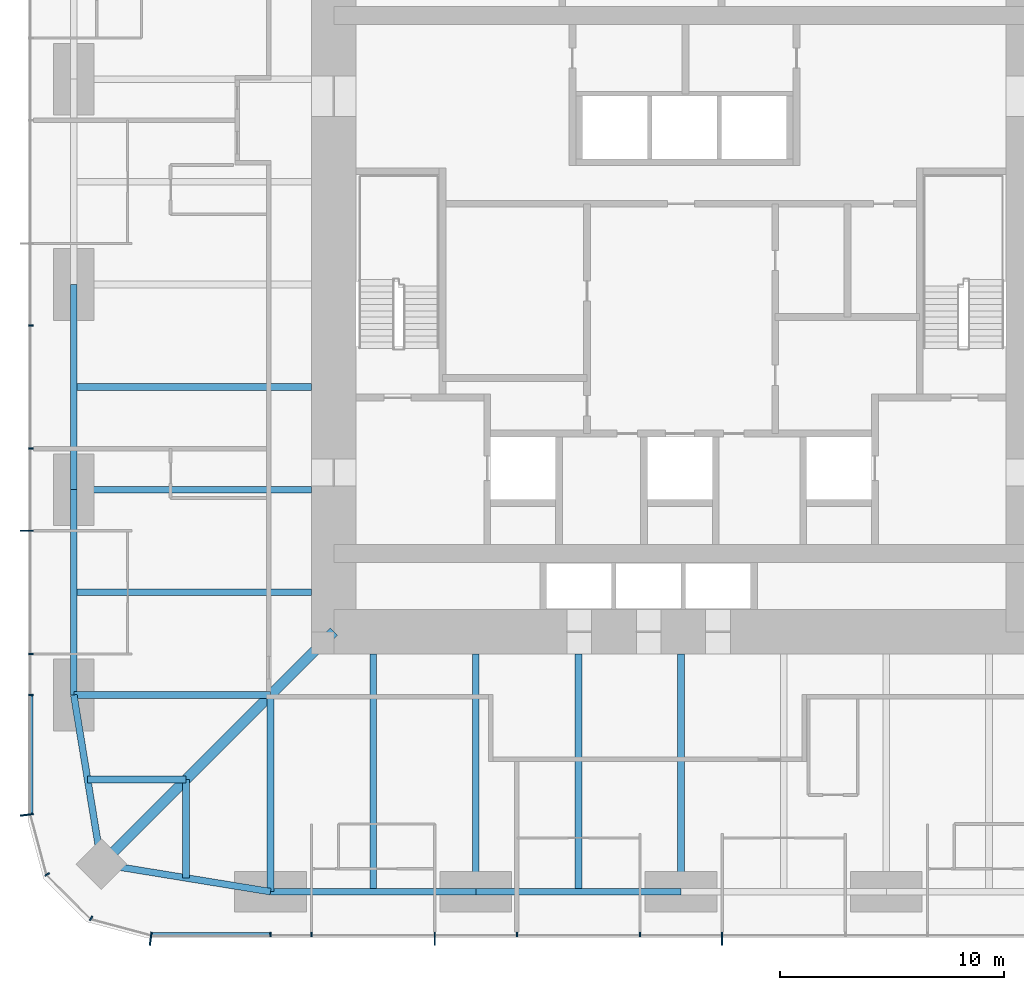
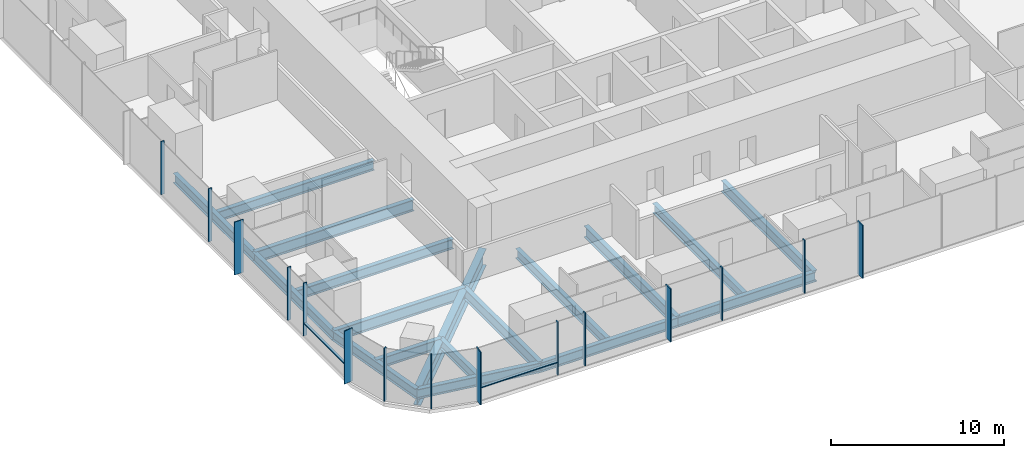
# One storey, part 2 of 13: 18 beams, 17 members, 3 elements without a shape of their own.
"""IFC4 building model written with IfcOpenShell, lengths in metres."""

from ifc_helpers import new_model, si_unit, direction, frame, origin, origin_2d, place, context, subcontext, project, spatial, rectangle, i_section, extrude, material, material_profile, profile_set, type_object, element, aggregate, save


model = new_model("IFC4")

# Units and contexts
model_context = context("Model", 3, precision=1e-05, world=origin(), true_north=direction((0.0, 1.0)))
body_context = subcontext(model_context, "Body", "Model", "MODEL_VIEW")
ifc_project = project(units=[si_unit("LENGTHUNIT", "METRE"), si_unit("AREAUNIT", "SQUARE_METRE"), si_unit("VOLUMEUNIT", "CUBIC_METRE"), si_unit("PLANEANGLEUNIT", "RADIAN"), si_unit("MASSUNIT", "GRAM", prefix="KILO")], contexts=[model_context])

# Site, building, storey
site_placement = place(None, origin())
site = spatial("IfcSite", under=ifc_project, at=site_placement, CompositionType="ELEMENT")
building_placement = place(site_placement, origin())
building = spatial("IfcBuilding", under=site, at=building_placement, Name="Khuree Lantern Residences", CompositionType="ELEMENT")
storey_placement = place(building_placement, frame((0.0, 0.0, 122.25)))
storey = spatial("IfcBuildingStorey", under=building, at=storey_placement, Name="L30", CompositionType="ELEMENT", Elevation=122.25)

# Beams
ifc_material_1 = material(Name="Steel S355", Category="steel")
ifc_material_profile_1 = material_profile(ifc_material_1, i_section(OverallWidth=0.300048828125, OverallDepth=0.68994140625, WebThickness=0.014404296875, FlangeThickness=0.027099609375, FilletRadius=0.027099609375, at=origin_2d()), Name="HE 700 A")
ifc_profile_set_1 = profile_set([ifc_material_profile_1], Name="Steel S355")
beam_type_1 = type_object("IfcBeamType", Name="B-22 SECONDARY BEAM HE 700 A", PredefinedType="BEAM", material=ifc_profile_set_1)
for number, where, z_axis, x_axis, name in (
    (1, (-4.580078125, -27.10009765625, -0.594970703125), (0.0, 1.0, 0.0), (-1.0, 0.0, 0.0), "Secondary beam S4"),
    (2, (-13.739990234375, -27.10009765625, -0.594970703125), (0.0, 1.0, 0.0), (-1.0, 0.0, 0.0), "Secondary beam S5"),
):
    element("IfcBeam", number, at=place(storey_placement, frame(where, z_axis=z_axis, x_axis=x_axis)), inside=storey, type_object=beam_type_1, Name=name, PredefinedType="BEAM", context=body_context, shape_type="SweptSolid", body=[
        extrude(i_section(OverallWidth=0.300048828125, OverallDepth=0.68994140625, WebThickness=0.014404296875, FlangeThickness=0.027099609375, FilletRadius=0.027099609375, at=origin_2d()), origin(), (0.0, 0.0, 1.0), 10.60009765625),
    ])
for number, where, z_axis, x_axis, name in (
    (3, (-22.094970703125, -26.48486328125, -0.594970703125), (0.0, 1.0, 0.0), (-1.0, 0.0, 0.0), "Secondary beam S6"),
    (4, (-26.48486328125, -22.094970703125, -0.594970703125), (1.0, 0.0, 0.0), (0.0, 1.0, 0.0), "Secondary beam W1"),
):
    element("IfcBeam", number, at=place(storey_placement, frame(where, z_axis=z_axis, x_axis=x_axis)), inside=storey, type_object=beam_type_1, Name=name, PredefinedType="BEAM", context=body_context, shape_type="SweptSolid", body=[
        extrude(i_section(OverallWidth=0.300048828125, OverallDepth=0.68994140625, WebThickness=0.014404296875, FlangeThickness=0.027099609375, FilletRadius=0.027099609375, at=origin_2d()), origin(), (0.0, 0.0, 1.0), 4.389892578125),
    ])
for number, where, z_axis, x_axis, name in (
    (5, (-27.10009765625, -13.739990234375, -0.594970703125), (1.0, 0.0, 0.0), (0.0, 1.0, 0.0), "Secondary beam W2"),
    (6, (-27.10009765625, -4.580078125, -0.594970703125), (1.0, 0.0, 0.0), (0.0, 1.0, 0.0), "Secondary beam W3"),
):
    element("IfcBeam", number, at=place(storey_placement, frame(where, z_axis=z_axis, x_axis=x_axis)), inside=storey, type_object=beam_type_1, Name=name, PredefinedType="BEAM", context=body_context, shape_type="SweptSolid", body=[
        extrude(i_section(OverallWidth=0.300048828125, OverallDepth=0.68994140625, WebThickness=0.014404296875, FlangeThickness=0.027099609375, FilletRadius=0.027099609375, at=origin_2d()), origin(), (0.0, 0.0, 1.0), 10.60009765625),
    ])
ifc_material_profile_2 = material_profile(ifc_material_1, i_section(OverallWidth=0.300048828125, OverallDepth=0.68994140625, WebThickness=0.014404296875, FlangeThickness=0.027099609375, FilletRadius=0.027099609375, at=origin_2d()), Name="HE 700 A")
ifc_profile_set_2 = profile_set([ifc_material_profile_2], Name="Steel S355")
beam_type_2 = type_object("IfcBeamType", Name="E-22 SPANDREL BEAM HE 700 A", PredefinedType="SPANDREL", material=ifc_profile_set_2)
beam_1_placement = place(storey_placement, frame((0.0, -27.10009765625, -0.594970703125), z_axis=(-1.0, 0.0, 0.0), x_axis=(0.0, -1.0, 0.0)))
element("IfcBeam", 7, at=beam_1_placement, inside=storey, type_object=beam_type_2, Name="Spandrel beam S4", PredefinedType="SPANDREL", context=body_context, shape_type="SweptSolid", body=[
    extrude(i_section(OverallWidth=0.300048828125, OverallDepth=0.68994140625, WebThickness=0.014404296875, FlangeThickness=0.027099609375, FilletRadius=0.027099609375, at=origin_2d()), origin(), (0.0, 0.0, 1.0), 9.159912109375),
])
beam_2_placement = place(storey_placement, frame((-9.159912109375, -27.10009765625, -0.594970703125), z_axis=(-1.0, 0.0, 0.0), x_axis=(0.0, -1.0, 0.0)))
element("IfcBeam", 8, at=beam_2_placement, inside=storey, type_object=beam_type_2, Name="Spandrel beam S5", PredefinedType="SPANDREL", context=body_context, shape_type="SweptSolid", body=[
    extrude(i_section(OverallWidth=0.300048828125, OverallDepth=0.68994140625, WebThickness=0.014404296875, FlangeThickness=0.027099609375, FilletRadius=0.027099609375, at=origin_2d()), origin(), (0.0, 0.0, 1.0), 9.16015625),
])
for number, where, z_axis, x_axis, name in (
    (9, (-18.320068359375, -27.10009765625, -0.594970703125), (-0.986982656839, 0.160826723833, 0.0), (-0.160826723833, -0.986982656839, 0.0), "Spandrel beam S6"),
    (10, (-25.869873046875, -25.869873046875, -0.594970703125), (-0.160826723833, 0.986982656839, 0.0), (-0.986982656839, -0.160826723833, 0.0), "Spandrel beam W1"),
):
    element("IfcBeam", number, at=place(storey_placement, frame(where, z_axis=z_axis, x_axis=x_axis)), inside=storey, type_object=beam_type_2, Name=name, PredefinedType="SPANDREL", context=body_context, shape_type="SweptSolid", body=[
        extrude(i_section(OverallWidth=0.300048828125, OverallDepth=0.68994140625, WebThickness=0.014404296875, FlangeThickness=0.027099609375, FilletRadius=0.027099609375, at=origin_2d()), origin(), (0.0, 0.0, 1.0), 7.6494140625),
    ])
beam_3_placement = place(storey_placement, frame((-27.10009765625, -18.320068359375, -0.594970703125), z_axis=(0.0, 1.0, 0.0), x_axis=(-1.0, 0.0, 0.0)))
element("IfcBeam", 11, at=beam_3_placement, inside=storey, type_object=beam_type_2, Name="Spandrel beam W2", PredefinedType="SPANDREL", context=body_context, shape_type="SweptSolid", body=[
    extrude(i_section(OverallWidth=0.300048828125, OverallDepth=0.68994140625, WebThickness=0.014404296875, FlangeThickness=0.027099609375, FilletRadius=0.027099609375, at=origin_2d()), origin(), (0.0, 0.0, 1.0), 9.16015625),
])
beam_4_placement = place(storey_placement, frame((-27.10009765625, -9.159912109375, -0.594970703125), z_axis=(0.0, 1.0, 0.0), x_axis=(-1.0, 0.0, 0.0)))
element("IfcBeam", 12, at=beam_4_placement, inside=storey, type_object=beam_type_2, Name="Spandrel beam W3", PredefinedType="SPANDREL", context=body_context, shape_type="SweptSolid", body=[
    extrude(i_section(OverallWidth=0.300048828125, OverallDepth=0.68994140625, WebThickness=0.014404296875, FlangeThickness=0.027099609375, FilletRadius=0.027099609375, at=origin_2d()), origin(), (0.0, 0.0, 1.0), 9.159912109375),
])

# Curtain wall, member
ifc_material_2 = material(Name="Bronze anodised aluminium", Category="aluminium")
curtain_wall_type_1 = type_object("IfcCurtainWallType", Name="CW-T1 TOWER FACE CURTAIN WALL", PredefinedType="USERDEFINED", material=ifc_material_2)
curtain_wall_1_placement = place(storey_placement, origin())
curtain_wall_1 = element("IfcCurtainWall", 13, at=curtain_wall_1_placement, inside=storey, type_object=curtain_wall_type_1, Name="L30 WEST FACE CURTAIN WALL", ObjectType="Stick-built curtain wall", PredefinedType="USERDEFINED")
ifc_material_profile_3 = material_profile(ifc_material_2, rectangle(XDim=0.06494140625, YDim=0.60009765625, at=origin_2d()), Name="F1 65X600")
ifc_profile_set_3 = profile_set([ifc_material_profile_3], Name="Bronze anodised aluminium")
member_type_1 = type_object("IfcMemberType", Name="F1 BRONZE FIN MULLION TOWER 65X600", PredefinedType="MULLION", material=ifc_profile_set_3)
member_1_placement = place(storey_placement, frame((-29.199951171875, -10.991943359375, 0.0), z_axis=(0.0, 0.0, 1.0), x_axis=(0.0, -1.0, 0.0)))
member_1 = element("IfcMember", 14, at=member_1_placement, type_object=member_type_1, Name="L30 WEST FACE FIN MULLION 40", PredefinedType="MULLION", context=body_context, shape_type="SweptSolid", body=[
    extrude(rectangle(XDim=0.06494140625, YDim=0.60009765625, at=origin_2d()), origin(), (0.0, 0.0, 1.0), 3.75),
])

curtain_wall_type_2 = type_object("IfcCurtainWallType", Name="CW-T2 TOWER CORNER CURTAIN WALL", PredefinedType="USERDEFINED", material=ifc_material_2)
curtain_wall_2_placement = place(storey_placement, origin())
curtain_wall_2 = element("IfcCurtainWall", 15, at=curtain_wall_2_placement, inside=storey, type_object=curtain_wall_type_2, Name="L30 SOUTH-WEST CORNER CURTAIN WALL", ObjectType="Faceted corner curtain wall", PredefinedType="USERDEFINED")
member_2_placement = place(storey_placement, frame((-29.2001953125, -23.669677734375, 0.0), z_axis=(0.0, 0.0, 1.0), x_axis=(0.130526223125, -0.991444857305, 0.0)))
member_2 = element("IfcMember", 16, at=member_2_placement, type_object=member_type_1, Name="L30 SOUTH-WEST CORNER FIN MULLION 43", PredefinedType="MULLION", context=body_context, shape_type="SweptSolid", body=[
    extrude(rectangle(XDim=0.06494140625, YDim=0.60009765625, at=origin_2d()), origin(), (0.0, 0.0, 1.0), 3.75),
])

# Curtain wall, members
curtain_wall_3_placement = place(storey_placement, origin())
curtain_wall_3 = element("IfcCurtainWall", 17, at=curtain_wall_3_placement, inside=storey, type_object=curtain_wall_type_1, Name="L30 SOUTH FACE CURTAIN WALL", ObjectType="Stick-built curtain wall", PredefinedType="USERDEFINED")
member_3_placement = place(storey_placement, frame((-23.669677734375, -29.2001953125, 0.0), z_axis=(0.0, 0.0, 1.0), x_axis=(0.991444857305, -0.130526223125, 0.0)))
member_3 = element("IfcMember", 18, at=member_3_placement, type_object=member_type_1, Name="L30 SOUTH FACE FIN MULLION 46", PredefinedType="MULLION", context=body_context, shape_type="SweptSolid", body=[
    extrude(rectangle(XDim=0.06494140625, YDim=0.60009765625, at=origin_2d()), origin(), (0.0, 0.0, 1.0), 3.75),
])
member_4_placement = place(storey_placement, frame((-10.991943359375, -29.199951171875, 0.0), z_axis=(0.0, 0.0, 1.0), x_axis=(1.0, 0.0, 0.0)))
member_4 = element("IfcMember", 19, at=member_4_placement, type_object=member_type_1, Name="L30 SOUTH FACE FIN MULLION 49", PredefinedType="MULLION", context=body_context, shape_type="SweptSolid", body=[
    extrude(rectangle(XDim=0.06494140625, YDim=0.60009765625, at=origin_2d()), origin(), (0.0, 0.0, 1.0), 3.75),
])
member_5_placement = place(storey_placement, frame((1.83203125, -29.199951171875, 0.0), z_axis=(0.0, 0.0, 1.0), x_axis=(1.0, 0.0, 0.0)))
member_5 = element("IfcMember", 20, at=member_5_placement, type_object=member_type_1, Name="L30 SOUTH FACE FIN MULLION 52", PredefinedType="MULLION", context=body_context, shape_type="SweptSolid", body=[
    extrude(rectangle(XDim=0.06494140625, YDim=0.60009765625, at=origin_2d()), origin(), (0.0, 0.0, 1.0), 3.75),
])

# Beams
ifc_material_profile_4 = material_profile(ifc_material_1, i_section(OverallWidth=0.300048828125, OverallDepth=0.800048828125, WebThickness=0.017578125, FlangeThickness=0.032958984375, FilletRadius=0.030029296875, at=origin_2d()), Name="HE 800 B")
ifc_profile_set_4 = profile_set([ifc_material_profile_4], Name="Steel S355")
beam_type_3 = type_object("IfcBeamType", Name="G-22 GIRDER HE 800 B", PredefinedType="BEAM", material=ifc_profile_set_4)
for number, where, z_axis, x_axis, name in (
    (21, (0.0, -27.10009765625, -0.64990234375), (0.0, 1.0, 0.0), (-1.0, 0.0, 0.0), "Girder S3"),
    (22, (-9.159912109375, -27.10009765625, -0.64990234375), (0.0, 1.0, 0.0), (-1.0, 0.0, 0.0), "Girder S4"),
):
    element("IfcBeam", number, at=place(storey_placement, frame(where, z_axis=z_axis, x_axis=x_axis)), inside=storey, type_object=beam_type_3, Name=name, PredefinedType="BEAM", context=body_context, shape_type="SweptSolid", body=[
        extrude(i_section(OverallWidth=0.300048828125, OverallDepth=0.800048828125, WebThickness=0.017578125, FlangeThickness=0.032958984375, FilletRadius=0.030029296875, at=origin_2d()), origin(), (0.0, 0.0, 1.0), 10.60009765625),
    ])
for number, where, z_axis, x_axis, name in (
    (23, (-18.320068359375, -27.10009765625, -0.64990234375), (0.0, 1.0, 0.0), (-1.0, 0.0, 0.0), "Girder S5"),
    (24, (-27.10009765625, -18.320068359375, -0.64990234375), (1.0, 0.0, 0.0), (0.0, 1.0, 0.0), "Girder W1"),
):
    element("IfcBeam", number, at=place(storey_placement, frame(where, z_axis=z_axis, x_axis=x_axis)), inside=storey, type_object=beam_type_3, Name=name, PredefinedType="BEAM", context=body_context, shape_type="SweptSolid", body=[
        extrude(i_section(OverallWidth=0.300048828125, OverallDepth=0.800048828125, WebThickness=0.017578125, FlangeThickness=0.032958984375, FilletRadius=0.030029296875, at=origin_2d()), origin(), (0.0, 0.0, 1.0), 8.780029296875),
    ])
beam_5_placement = place(storey_placement, frame((-27.10009765625, -9.159912109375, -0.64990234375), z_axis=(1.0, 0.0, 0.0), x_axis=(0.0, 1.0, 0.0)))
element("IfcBeam", 25, at=beam_5_placement, inside=storey, type_object=beam_type_3, Name="Girder W2", PredefinedType="BEAM", context=body_context, shape_type="SweptSolid", body=[
    extrude(i_section(OverallWidth=0.300048828125, OverallDepth=0.800048828125, WebThickness=0.017578125, FlangeThickness=0.032958984375, FilletRadius=0.030029296875, at=origin_2d()), origin(), (0.0, 0.0, 1.0), 10.60009765625),
])
ifc_material_profile_5 = material_profile(ifc_material_1, i_section(OverallWidth=0.449951171875, OverallDepth=1.199951171875, WebThickness=0.02490234375, FlangeThickness=0.044921875, at=origin_2d()), Name="WELDED I 1200X450X25X45")
ifc_profile_set_5 = profile_set([ifc_material_profile_5], Name="Steel S355")
beam_type_4 = type_object("IfcBeamType", Name="GD-22 CORNER GIRDER WELDED I 1200X450X25X45", PredefinedType="BEAM", material=ifc_profile_set_5)
beam_6_placement = place(storey_placement, frame((-25.869873046875, -25.869873046875, -0.85009765625), z_axis=(0.707106781187, 0.707106781187, 0.0), x_axis=(-0.707106781187, 0.707106781187, 0.0)))
element("IfcBeam", 26, at=beam_6_placement, inside=storey, type_object=beam_type_4, Name="Corner girder SW", PredefinedType="BEAM", context=body_context, shape_type="SweptSolid", body=[
    extrude(i_section(OverallWidth=0.449951171875, OverallDepth=1.199951171875, WebThickness=0.02490234375, FlangeThickness=0.044921875, at=origin_2d()), origin(), (0.0, 0.0, 1.0), 14.665283203125),
])

# Member
ifc_material_profile_6 = material_profile(ifc_material_2, rectangle(XDim=0.06494140625, YDim=0.219970703125, at=origin_2d()), Name="M1 65X220")
ifc_profile_set_6 = profile_set([ifc_material_profile_6], Name="Bronze anodised aluminium")
member_type_2 = type_object("IfcMemberType", Name="M1 BRONZE MULLION TOWER 65X220", PredefinedType="MULLION", material=ifc_profile_set_6)
member_6_placement = place(storey_placement, frame((-29.010009765625, -1.83203125, 0.0), z_axis=(0.0, 0.0, 1.0), x_axis=(0.0, -1.0, 0.0)))
member_6 = element("IfcMember", 27, at=member_6_placement, type_object=member_type_2, Name="L30 WEST FACE MULLION 38", PredefinedType="MULLION", context=body_context, shape_type="SweptSolid", body=[
    extrude(rectangle(XDim=0.06494140625, YDim=0.219970703125, at=origin_2d()), origin(), (0.0, 0.0, 1.0), 3.75),
])

member_7_placement = place(storey_placement, frame((-29.010009765625, -7.327880859375, 0.0), z_axis=(0.0, 0.0, 1.0), x_axis=(0.0, -1.0, 0.0)))
member_7 = element("IfcMember", 28, at=member_7_placement, type_object=member_type_2, Name="L30 WEST FACE MULLION 39", PredefinedType="MULLION", context=body_context, shape_type="SweptSolid", body=[
    extrude(rectangle(XDim=0.06494140625, YDim=0.219970703125, at=origin_2d()), origin(), (0.0, 0.0, 1.0), 3.75),
])

member_8_placement = place(storey_placement, frame((-29.010009765625, -16.488037109375, 0.0), z_axis=(0.0, 0.0, 1.0), x_axis=(0.0, -1.0, 0.0)))
member_8 = element("IfcMember", 29, at=member_8_placement, type_object=member_type_2, Name="L30 WEST FACE MULLION 41", PredefinedType="MULLION", context=body_context, shape_type="SweptSolid", body=[
    extrude(rectangle(XDim=0.06494140625, YDim=0.219970703125, at=origin_2d()), origin(), (0.0, 0.0, 1.0), 3.75),
])

member_9_placement = place(storey_placement, frame((-29.010009765625, -18.320068359375, 0.0), z_axis=(0.0, 0.0, 1.0), x_axis=(0.0, -1.0, 0.0)))
member_9 = element("IfcMember", 30, at=member_9_placement, type_object=member_type_2, Name="L30 WEST FACE MULLION 42", PredefinedType="MULLION", context=body_context, shape_type="SweptSolid", body=[
    extrude(rectangle(XDim=0.06494140625, YDim=0.219970703125, at=origin_2d()), origin(), (0.0, 0.0, 1.0), 3.75),
])

member_10_placement = place(storey_placement, frame((-28.2919921875, -26.330078125, 0.0), z_axis=(0.0, 0.0, 1.0), x_axis=(0.500000026995, -0.866025388199, 0.0)))
member_10 = element("IfcMember", 31, at=member_10_placement, type_object=member_type_2, Name="L30 SOUTH-WEST CORNER MULLION 44", PredefinedType="MULLION", context=body_context, shape_type="SweptSolid", body=[
    extrude(rectangle(XDim=0.06494140625, YDim=0.219970703125, at=origin_2d()), origin(), (0.0, 0.0, 1.0), 3.75),
])

member_11_placement = place(storey_placement, frame((-26.330078125, -28.2919921875, 0.0), z_axis=(0.0, 0.0, 1.0), x_axis=(0.866025388199, -0.500000026995, 0.0)))
member_11 = element("IfcMember", 32, at=member_11_placement, type_object=member_type_2, Name="L30 SOUTH-WEST CORNER MULLION 45", PredefinedType="MULLION", context=body_context, shape_type="SweptSolid", body=[
    extrude(rectangle(XDim=0.06494140625, YDim=0.219970703125, at=origin_2d()), origin(), (0.0, 0.0, 1.0), 3.75),
])

aggregate(curtain_wall_2, [member_2, member_10, member_11])

member_12_placement = place(storey_placement, frame((-18.320068359375, -29.010009765625, 0.0), z_axis=(0.0, 0.0, 1.0), x_axis=(1.0, 0.0, 0.0)))
member_12 = element("IfcMember", 33, at=member_12_placement, type_object=member_type_2, Name="L30 SOUTH FACE MULLION 47", PredefinedType="MULLION", context=body_context, shape_type="SweptSolid", body=[
    extrude(rectangle(XDim=0.06494140625, YDim=0.219970703125, at=origin_2d()), origin(), (0.0, 0.0, 1.0), 3.75),
])

member_13_placement = place(storey_placement, frame((-16.488037109375, -29.010009765625, 0.0), z_axis=(0.0, 0.0, 1.0), x_axis=(1.0, 0.0, 0.0)))
member_13 = element("IfcMember", 34, at=member_13_placement, type_object=member_type_2, Name="L30 SOUTH FACE MULLION 48", PredefinedType="MULLION", context=body_context, shape_type="SweptSolid", body=[
    extrude(rectangle(XDim=0.06494140625, YDim=0.219970703125, at=origin_2d()), origin(), (0.0, 0.0, 1.0), 3.75),
])

member_14_placement = place(storey_placement, frame((-7.327880859375, -29.010009765625, 0.0), z_axis=(0.0, 0.0, 1.0), x_axis=(1.0, 0.0, 0.0)))
member_14 = element("IfcMember", 35, at=member_14_placement, type_object=member_type_2, Name="L30 SOUTH FACE MULLION 50", PredefinedType="MULLION", context=body_context, shape_type="SweptSolid", body=[
    extrude(rectangle(XDim=0.06494140625, YDim=0.219970703125, at=origin_2d()), origin(), (0.0, 0.0, 1.0), 3.75),
])

member_15_placement = place(storey_placement, frame((-1.83203125, -29.010009765625, 0.0), z_axis=(0.0, 0.0, 1.0), x_axis=(1.0, 0.0, 0.0)))
member_15 = element("IfcMember", 36, at=member_15_placement, type_object=member_type_2, Name="L30 SOUTH FACE MULLION 51", PredefinedType="MULLION", context=body_context, shape_type="SweptSolid", body=[
    extrude(rectangle(XDim=0.06494140625, YDim=0.219970703125, at=origin_2d()), origin(), (0.0, 0.0, 1.0), 3.75),
])

ifc_material_profile_7 = material_profile(ifc_material_2, rectangle(XDim=0.179931640625, YDim=0.06494140625, at=origin_2d()), Name="T1 180X65")
ifc_profile_set_7 = profile_set([ifc_material_profile_7], Name="Bronze anodised aluminium")
member_type_3 = type_object("IfcMemberType", Name="TRANSOM T1 TOWER 180X65", PredefinedType="USERDEFINED", material=ifc_profile_set_7)
member_16_placement = place(storey_placement, frame((-29.02001953125, -18.3525390625, 0.89990234375), z_axis=(0.0, -1.0, 0.0), x_axis=(1.0, 0.0, 0.0)))
member_16 = element("IfcMember", 37, at=member_16_placement, type_object=member_type_3, Name="L30 WEST FACE TRANSOM 42.1", ObjectType="Transom", PredefinedType="USERDEFINED", context=body_context, shape_type="SweptSolid", body=[
    extrude(rectangle(XDim=0.179931640625, YDim=0.06494140625, at=origin_2d()), origin(), (0.0, 0.0, 1.0), 5.248779296875),
])

aggregate(curtain_wall_1, [member_6, member_7, member_1, member_8, member_9, member_16])

member_17_placement = place(storey_placement, frame((-23.601318359375, -29.02001953125, 0.89990234375), z_axis=(1.0, 0.0, 0.0), x_axis=(0.0, 1.0, 0.0)))
member_17 = element("IfcMember", 38, at=member_17_placement, type_object=member_type_3, Name="L30 SOUTH FACE TRANSOM 46.1", ObjectType="Transom", PredefinedType="USERDEFINED", context=body_context, shape_type="SweptSolid", body=[
    extrude(rectangle(XDim=0.179931640625, YDim=0.06494140625, at=origin_2d()), origin(), (0.0, 0.0, 1.0), 5.248779296875),
])

aggregate(curtain_wall_3, [member_3, member_12, member_13, member_4, member_14, member_15, member_5, member_17])

save(model, "model.ifc")
